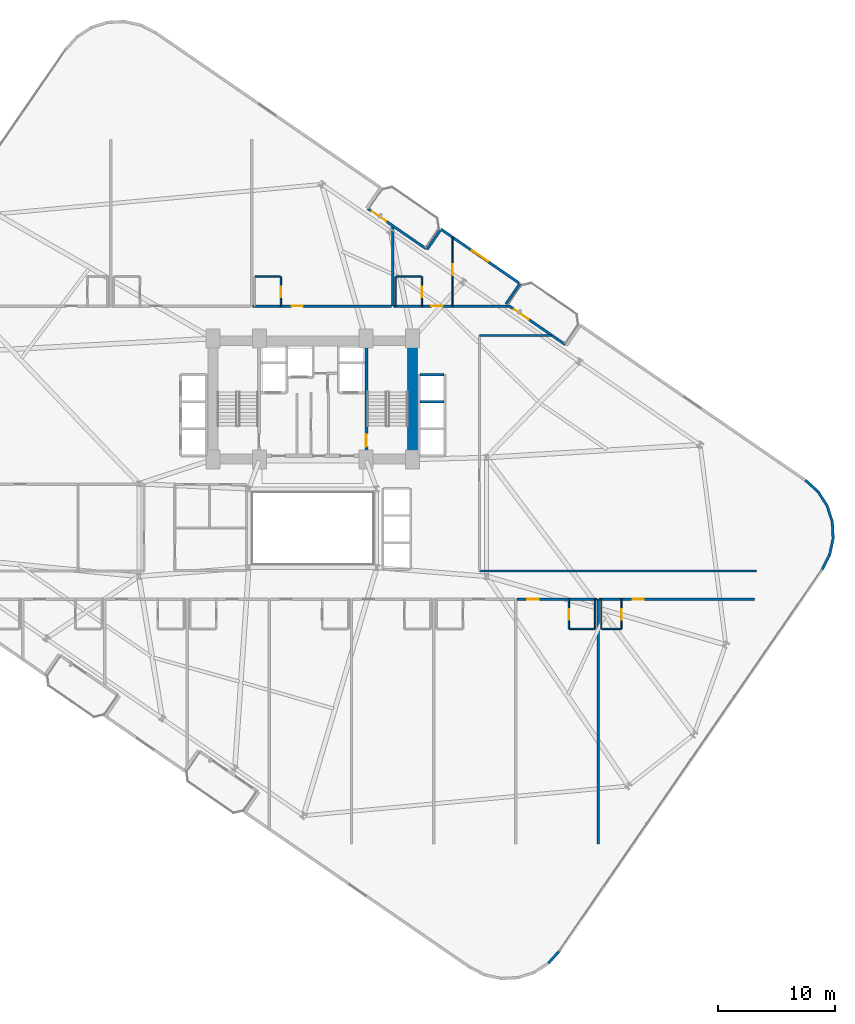
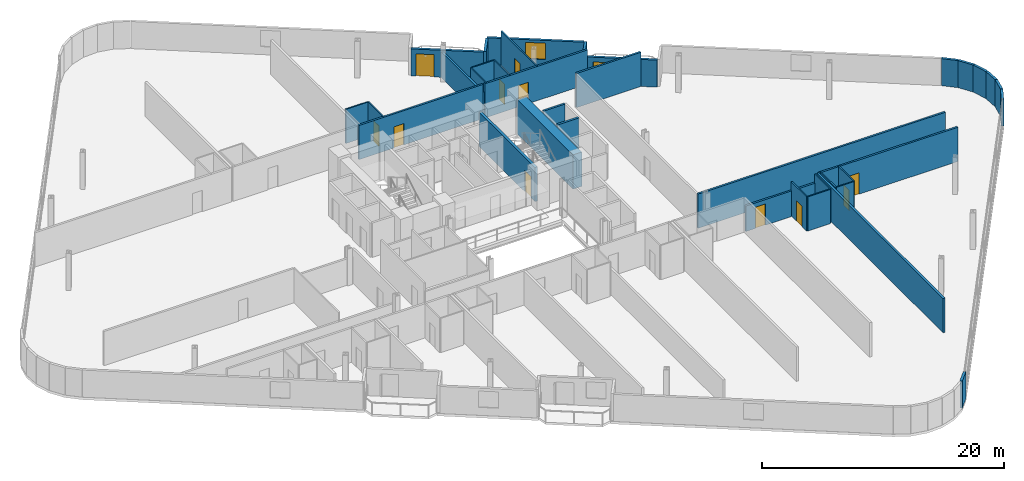
# One storey, part 20 of 25: 36 walls, 12 doors, 1 window, 13 openings.
"""IFC4 building model written with IfcOpenShell, lengths in metres."""

import ifcopenshell
import ifcopenshell.guid

model = None  # the IFC model being written
_history = None  # IfcOwnerHistory: only IFC2X3 demands one
_inside = {}  # id of a spatial element -> (the spatial element, [elements in it])
_under = {}  # id of a project, library or spatial element -> (it, [spatial elements below it])
_declared = {}  # id of a project -> (the project, [libraries it declares])
_typed = {}  # id of a type object -> (the type object, [elements of that type])
_made_of = {}  # id of a material, layer set ... -> (it, [elements and type objects made of it])


def new_model(schema):
    """Start an empty IFC model of exactly this schema.

    Asked for "IFC4X3", IfcOpenShell would pick the latest addendum, in which some entities
    have other attributes; the version numbers below select the first issue.
    IFC2X3 requires an IfcOwnerHistory on every rooted entity: one is made here for all.
    """
    global model, _history
    if schema == "IFC4X3":
        model = ifcopenshell.file(schema_version=(4, 3, 0, 0))
    else:
        model = ifcopenshell.file(schema=schema)
    _inside.clear()
    _under.clear()
    _declared.clear()
    _typed.clear()
    _made_of.clear()
    _history = None
    if model.schema == "IFC2X3":
        org = make("IfcOrganization", Name="unknown")
        user = make(
            "IfcPersonAndOrganization",
            ThePerson=make("IfcPerson", FamilyName="unknown"),
            TheOrganization=org,
        )
        app = make(
            "IfcApplication",
            ApplicationDeveloper=org,
            Version="unknown",
            ApplicationFullName="unknown",
            ApplicationIdentifier="unknown",
        )
        _history = make(
            "IfcOwnerHistory",
            OwningUser=user,
            OwningApplication=app,
            ChangeAction="ADDED",
            CreationDate=0,
        )
    return model


def make(cls, **values):
    """One entity of the class cls with the attributes given. An attribute that is None is left unset."""
    return model.create_entity(
        cls, **{name: value for name, value in values.items() if value is not None}
    )


def rooted(cls, **values):
    """An entity with a GlobalId (a new one), such as an element, a storey or a relation."""
    return make(cls, GlobalId=ifcopenshell.guid.new(), OwnerHistory=_history, **values)


def si_unit(unit_type, name, prefix=None):
    """IfcSIUnit, for example si_unit("LENGTHUNIT", "METRE", prefix="MILLI")."""
    return make("IfcSIUnit", UnitType=unit_type, Prefix=prefix, Name=name)


def assignment(units):
    """IfcUnitAssignment: the units of a project."""
    return None if units is None else make("IfcUnitAssignment", Units=units)


def point(xyz):
    """IfcCartesianPoint."""
    return None if xyz is None else make("IfcCartesianPoint", Coordinates=xyz)


def direction(xyz):
    """IfcDirection."""
    return None if xyz is None else make("IfcDirection", DirectionRatios=xyz)


def frame(location, z_axis=None, x_axis=None):
    """IfcAxis2Placement3D, a coordinate frame: its origin and axes. An axis left out is left unset."""
    return make(
        "IfcAxis2Placement3D",
        Location=point(location),
        Axis=direction(z_axis),
        RefDirection=direction(x_axis),
    )


def frame_2d(location, x_axis=None):
    """IfcAxis2Placement2D, a coordinate frame in the plane: its origin and x axis."""
    return make(
        "IfcAxis2Placement2D", Location=point(location), RefDirection=direction(x_axis)
    )


def origin():
    """The frame at (0, 0, 0) with its axes left unset."""
    return frame((0.0, 0.0, 0.0))


def place(relative_to, where):
    """IfcLocalPlacement: puts the frame where relative to a parent placement (None: the world)."""
    return make(
        "IfcLocalPlacement", PlacementRelTo=relative_to, RelativePlacement=where
    )


def context(
    kind, dimensions, precision=None, world=None, true_north=None, identifier=None
):
    """IfcGeometricRepresentationContext, for example the 3D "Model" context."""
    return make(
        "IfcGeometricRepresentationContext",
        ContextIdentifier=identifier,
        ContextType=kind,
        CoordinateSpaceDimension=dimensions,
        Precision=precision,
        WorldCoordinateSystem=world,
        TrueNorth=true_north,
    )


def subcontext(parent, identifier, kind, view, scale=None):
    """IfcGeometricRepresentationSubContext, for example "Body" below "Model"."""
    return make(
        "IfcGeometricRepresentationSubContext",
        ContextIdentifier=identifier,
        ContextType=kind,
        ParentContext=parent,
        TargetScale=scale,
        TargetView=view,
    )


def project(units=None, contexts=None):
    """IfcProject with its units and contexts."""
    return rooted(
        "IfcProject",
        Name="project",
        RepresentationContexts=contexts,
        UnitsInContext=assignment(units),
    )


def spatial(cls, under=None, at=None, **own):
    """A site, building, storey or space (cls), placed at a placement, below another one or the project."""
    s = rooted(cls, ObjectPlacement=at, **own)
    if under is not None:
        _under.setdefault(under.id(), (under, []))[1].append(s)
    return s


def profile(cls, at=None, kind="AREA", **sizes):
    """A parametric profile (cls). Its sizes go by their IFC names, for example OverallWidth=200.0."""
    return make(cls, ProfileType=kind, Position=at, **sizes)


def rectangle(**sizes):
    """IfcRectangleProfileDef."""
    return profile("IfcRectangleProfileDef", **sizes)


def extrude(swept, where, along, depth):
    """IfcExtrudedAreaSolid: the profile swept, set in the frame where, extruded along a direction by depth."""
    return make(
        "IfcExtrudedAreaSolid",
        SweptArea=swept,
        Position=where,
        ExtrudedDirection=direction(along),
        Depth=depth,
    )


def shape(context_of_items, identifier, shape_type, items):
    """IfcShapeRepresentation: the items that make up one representation, for example the "Body"."""
    return make(
        "IfcShapeRepresentation",
        ContextOfItems=context_of_items,
        RepresentationIdentifier=identifier,
        RepresentationType=shape_type,
        Items=items,
    )


def material(Name=None, Category=None):
    """IfcMaterial."""
    return make("IfcMaterial", Name=Name, Category=Category)


def layer(
    of_material, thickness, ventilated=None, Name=None, Category=None, Priority=None
):
    """IfcMaterialLayer: one layer of a wall or slab, of a material (None: an air gap)."""
    return make(
        "IfcMaterialLayer",
        Material=of_material,
        LayerThickness=thickness,
        IsVentilated=ventilated,
        Name=Name,
        Category=Category,
        Priority=Priority,
    )


def layer_set(layers, Name=None):
    """IfcMaterialLayerSet."""
    return make("IfcMaterialLayerSet", MaterialLayers=layers, LayerSetName=Name)


def made_of(thing, what):
    """Note that an element or type object is made of a material, layer set ...; save() writes the relation."""
    if what is not None:
        _made_of.setdefault(what.id(), (what, []))[1].append(thing)
    return thing


def type_object(cls, material=None, **own):
    """A type object (cls), such as IfcWallType, which elements share."""
    return made_of(rooted(cls, **own), material)


def element(
    cls,
    number,
    at=None,
    inside=None,
    cuts=None,
    type_object=None,
    material=None,
    context=None,
    identifier="Body",
    shape_type=None,
    held_by="IfcProductDefinitionShape",
    body=None,
    shapes=None,
    **own,
):
    """One element of the class cls, such as IfcWall. Its Tag is "e" and its number.

    at: its placement. inside: the storey or other place that contains it. cuts: it is an
    opening in that element (IfcRelVoidsElement). A single representation is given by context,
    identifier, shape_type and body (its items); several are given by shapes. held_by: the class
    of the entity that holds the representations. save() writes the other relations.
    """
    e = rooted(cls, Tag="e%d" % number, ObjectPlacement=at, **own)
    if body is not None:
        shapes = [shape(context, identifier, shape_type, body)]
    if shapes is not None:
        e.Representation = make(held_by, Representations=shapes)
    if inside is not None:
        _inside.setdefault(inside.id(), (inside, []))[1].append(e)
    if cuts is not None:
        rooted(
            "IfcRelVoidsElement", RelatingBuildingElement=cuts, RelatedOpeningElement=e
        )
    if type_object is not None:
        _typed.setdefault(type_object.id(), (type_object, []))[1].append(e)
    return made_of(e, material)


def fill(opening, filler):
    """IfcRelFillsElement: the door or window that sits in an opening."""
    return rooted(
        "IfcRelFillsElement",
        RelatingOpeningElement=opening,
        RelatedBuildingElement=filler,
    )


def aggregate(whole, parts):
    """IfcRelAggregates: a whole, such as a stair, and the parts it consists of."""
    return rooted("IfcRelAggregates", RelatingObject=whole, RelatedObjects=parts)


def save(model, path):
    """Write the relations noted so far, then the file.

    IfcRelAggregates (storeys below a building ...), IfcRelContainedInSpatialStructure (elements
    in a storey), IfcRelDefinesByType, IfcRelAssociatesMaterial and IfcRelDeclares: one each for
    every whole, place, type object, material and project.
    """
    for whole, parts in _under.values():
        aggregate(whole, parts)
    for where, things in _inside.values():
        rooted(
            "IfcRelContainedInSpatialStructure",
            RelatedElements=things,
            RelatingStructure=where,
        )
    for kind, things in _typed.values():
        rooted("IfcRelDefinesByType", RelatedObjects=things, RelatingType=kind)
    for what, things in _made_of.values():
        rooted("IfcRelAssociatesMaterial", RelatedObjects=things, RelatingMaterial=what)
    for by, libraries in _declared.values():
        rooted("IfcRelDeclares", RelatingContext=by, RelatedDefinitions=libraries)
    model.write(path)


model = new_model("IFC4")

# Units and contexts
model_context = context("Model", 3, precision=1e-05, world=origin(), true_north=direction((0.0, 1.0)))
body_context = subcontext(model_context, "Body", "Model", "MODEL_VIEW")
ifc_project = project(units=[si_unit("LENGTHUNIT", "METRE"), si_unit("AREAUNIT", "SQUARE_METRE"), si_unit("VOLUMEUNIT", "CUBIC_METRE"), si_unit("PLANEANGLEUNIT", "RADIAN"), si_unit("MASSUNIT", "GRAM", prefix="KILO")], contexts=[model_context])

# Site, building, storey
site_placement = place(None, origin())
site = spatial("IfcSite", under=ifc_project, at=site_placement, CompositionType="ELEMENT")
building_placement = place(site_placement, origin())
building = spatial("IfcBuilding", under=site, at=building_placement, Name="Varnelok Gate Tower", CompositionType="ELEMENT")
storey_placement = place(building_placement, frame((0.0, 0.0, 49.199951171875)))
storey = spatial("IfcBuildingStorey", under=building, at=storey_placement, Name="L11", CompositionType="ELEMENT", Elevation=49.199951171875)

# Wall, opening, door
ifc_material_1 = material(Name="Concrete C45/55", Category="concrete")
ifc_layer_1 = layer(ifc_material_1, 0.219970703125)
ifc_layer_set_1 = layer_set([ifc_layer_1], Name="Concrete C45/55")
wall_type_1 = type_object("IfcWallType", Name="EW-BALC-220", PredefinedType="SOLIDWALL", material=ifc_layer_set_1)
wall_1_placement = place(storey_placement, frame((43.898193359375, 50.1015625, 0.0), z_axis=(0.0, 0.0, 1.0), x_axis=(0.823534636215, -0.567265989598, 0.0)))
wall_1 = element("IfcWall", 1, at=wall_1_placement, inside=storey, type_object=wall_type_1, Name="L11 North Terrace Envelope Wall 3", PredefinedType="SOLIDWALL", context=body_context, shape_type="SweptSolid", body=[
    extrude(rectangle(XDim=6.0, YDim=0.219970703125, at=frame_2d((3.0, 0.0))), origin(), (0.0, 0.0, 1.0), 2.72998046875),
])
opening_1_placement = place(wall_1_placement, frame((0.39990234375, 0.0, 0.0)))
opening_1 = element("IfcOpeningElement", 2, at=opening_1_placement, cuts=wall_1, Name="Opening BD-1", PredefinedType="OPENING", context=body_context, shape_type="SweptSolid", body=[
    extrude(rectangle(XDim=1.5, YDim=2.25, at=frame_2d((0.75, 1.125))), frame((0.0, 0.119873046875, 0.0), z_axis=(0.0, -1.0, 0.0), x_axis=(1.0, 0.0, 0.0)), (0.0, 0.0, 1.0), 0.239990234375),
])
ifc_material_2 = material(Name="Anodized Aluminum Alloy 6063-T6", Category="aluminium")
door_type_1 = type_object("IfcDoorType", Name="DR-EXT-BALC1500", OperationType="NOTDEFINED", PredefinedType="DOOR", material=ifc_material_2)
door_1_placement = place(opening_1_placement, origin())
door_1 = element("IfcDoor", 3, at=door_1_placement, inside=storey, type_object=door_type_1, Name="L11 North Balcony Glazed Door 3", OperationType="SINGLE_SWING_RIGHT", OverallHeight=2.25, OverallWidth=1.5, PredefinedType="DOOR", context=body_context, shape_type="SweptSolid", body=[
    extrude(rectangle(XDim=1.5, YDim=2.25, at=frame_2d((0.75, 1.125))), frame((0.0, 0.02490234375, 0.0), z_axis=(0.0, -1.0, 0.0), x_axis=(1.0, 0.0, 0.0)), (0.0, 0.0, 1.0), 0.050048828125),
])
fill(opening_1, door_1)

wall_2_placement = place(storey_placement, frame((55.757080078125, 41.932861328125, 0.0), z_axis=(0.0, 0.0, 1.0), x_axis=(0.823534636215, -0.567265989598, 0.0)))
wall_2 = element("IfcWall", 4, at=wall_2_placement, inside=storey, type_object=wall_type_1, Name="L11 North Terrace Envelope Wall 4", PredefinedType="SOLIDWALL", context=body_context, shape_type="SweptSolid", body=[
    extrude(rectangle(XDim=6.0, YDim=0.219970703125, at=frame_2d((3.0, 0.0))), origin(), (0.0, 0.0, 1.0), 2.72998046875),
])
opening_2_placement = place(wall_2_placement, frame((0.696044921875, 0.0, 0.0)))
opening_2 = element("IfcOpeningElement", 5, at=opening_2_placement, cuts=wall_2, Name="Opening BD-1", PredefinedType="OPENING", context=body_context, shape_type="SweptSolid", body=[
    extrude(rectangle(XDim=1.5, YDim=2.25, at=frame_2d((0.75, 1.125))), frame((0.0, 0.119873046875, 0.0), z_axis=(0.0, -1.0, 0.0), x_axis=(1.0, 0.0, 0.0)), (0.0, 0.0, 1.0), 0.239990234375),
])
door_2_placement = place(opening_2_placement, origin())
door_2 = element("IfcDoor", 6, at=door_2_placement, inside=storey, type_object=door_type_1, Name="L11 North Balcony Glazed Door 4", OperationType="SINGLE_SWING_LEFT", OverallHeight=2.25, OverallWidth=1.5, PredefinedType="DOOR", context=body_context, shape_type="SweptSolid", body=[
    extrude(rectangle(XDim=1.5, YDim=2.25, at=frame_2d((0.75, 1.125))), frame((0.0, 0.02490234375, 0.0), z_axis=(0.0, -1.0, 0.0), x_axis=(1.0, 0.0, 0.0)), (0.0, 0.0, 1.0), 0.050048828125),
])
fill(opening_2, door_2)

# Walls
wall_3_placement = place(storey_placement, frame((59.26611328125, -14.13525390625, 0.0), z_axis=(0.0, 0.0, 1.0), x_axis=(0.669866433955, 0.742481623113, 0.0)))
element("IfcWall", 7, at=wall_3_placement, inside=storey, type_object=wall_type_1, Name="L11 Perimeter Facade Closure Wall 19", PredefinedType="SOLIDWALL", context=body_context, shape_type="SweptSolid", body=[
    extrude(rectangle(XDim=1.4052734375, YDim=0.219970703125, at=frame_2d((0.70263671875, 0.0))), origin(), (0.0, 0.0, 1.0), 2.72998046875),
])
wall_4_placement = place(storey_placement, frame((82.55810546875, 19.355224609375, 0.0), z_axis=(0.0, 0.0, 1.0), x_axis=(0.454777156549, 0.890605264908, 0.0)))
element("IfcWall", 8, at=wall_4_placement, inside=storey, type_object=wall_type_1, Name="L11 Perimeter Facade Closure Wall 20", PredefinedType="SOLIDWALL", context=body_context, shape_type="SweptSolid", body=[
    extrude(rectangle(XDim=1.43017578125, YDim=0.219970703125, at=frame_2d((0.715087890625, 0.0))), origin(), (0.0, 0.0, 1.0), 2.72998046875),
])
wall_5_placement = place(storey_placement, frame((83.2138671875, 20.653564453125, 0.0), z_axis=(0.0, 0.0, 1.0), x_axis=(0.208829011645, 0.977952168511, 0.0)))
element("IfcWall", 9, at=wall_5_placement, inside=storey, type_object=wall_type_1, Name="L11 Perimeter Facade Closure Wall 21", PredefinedType="SOLIDWALL", context=body_context, shape_type="SweptSolid", body=[
    extrude(rectangle(XDim=1.4052734375, YDim=0.219970703125, at=frame_2d((0.70263671875, 0.0))), origin(), (0.0, 0.0, 1.0), 2.72998046875),
])
wall_6_placement = place(storey_placement, frame((83.506103515625, 22.052734375, 0.0), z_axis=(0.0, 0.0, 1.0), x_axis=(-0.051245849735, 0.998686068234, 0.0)))
element("IfcWall", 10, at=wall_6_placement, inside=storey, type_object=wall_type_1, Name="L11 Perimeter Facade Closure Wall 22", PredefinedType="SOLIDWALL", context=body_context, shape_type="SweptSolid", body=[
    extrude(rectangle(XDim=1.405517578125, YDim=0.219970703125, at=frame_2d((0.70263671875, 0.0))), origin(), (0.0, 0.0, 1.0), 2.72998046875),
])
for number, where, z_axis, x_axis, name in (
    (11, (83.426513671875, 23.47998046875, 0.0), (0.0, 0.0, 1.0), (-0.308033059501, 0.951375653596, 0.0), "L11 Perimeter Facade Closure Wall 23"),
    (12, (82.97998046875, 24.837890625, 0.0), (0.0, 0.0, 1.0), (-0.543748195851, 0.839248413468, 0.0), "L11 Perimeter Facade Closure Wall 24"),
):
    element("IfcWall", number, at=place(storey_placement, frame(where, z_axis=z_axis, x_axis=x_axis)), inside=storey, type_object=wall_type_1, Name=name, PredefinedType="SOLIDWALL", context=body_context, shape_type="SweptSolid", body=[
        extrude(rectangle(XDim=1.4052734375, YDim=0.219970703125, at=frame_2d((0.70263671875, 0.0))), origin(), (0.0, 0.0, 1.0), 2.72998046875),
    ])
wall_7_placement = place(storey_placement, frame((82.197265625, 26.033935546875, 0.0), z_axis=(0.0, 0.0, 1.0), x_axis=(-0.742374254638, 0.669985422268, 0.0)))
element("IfcWall", 13, at=wall_7_placement, inside=storey, type_object=wall_type_1, Name="L11 Perimeter Facade Closure Wall 25", PredefinedType="SOLIDWALL", context=body_context, shape_type="SweptSolid", body=[
    extrude(rectangle(XDim=1.4130859375, YDim=0.219970703125, at=frame_2d((0.70654296875, 0.0))), origin(), (0.0, 0.0, 1.0), 2.72998046875),
])
wall_8_placement = place(storey_placement, frame((55.652587890625, 41.99267578125, 0.0), z_axis=(0.0, 0.0, 1.0), x_axis=(0.567273696173, 0.823529327729, 0.0)))
element("IfcWall", 14, at=wall_8_placement, inside=storey, type_object=wall_type_1, Name="L11 Perimeter Facade Closure Wall 28", PredefinedType="SOLIDWALL", context=body_context, shape_type="SweptSolid", body=[
    extrude(rectangle(XDim=2.099853515625, YDim=0.219970703125, at=frame_2d((1.0498046875, 0.0))), origin(), (0.0, 0.0, 1.0), 2.72998046875),
])

# Wall, opening, window
wall_9_placement = place(storey_placement, frame((56.740966796875, 43.79296875, 0.0), z_axis=(0.0, 0.0, 1.0), x_axis=(-0.823530942962, 0.56727135128, 0.0)))
wall_9 = element("IfcWall", 15, at=wall_9_placement, inside=storey, type_object=wall_type_1, Name="L11 Perimeter Facade Closure Wall 29", PredefinedType="SOLIDWALL", context=body_context, shape_type="SweptSolid", body=[
    extrude(rectangle(XDim=8.03515625, YDim=0.219970703125, at=frame_2d((4.017578125, 0.0))), origin(), (0.0, 0.0, 1.0), 2.72998046875),
])
opening_3_placement = place(wall_9_placement, frame((3.1923828125, 0.0, 0.800048828125)))
opening_3 = element("IfcOpeningElement", 16, at=opening_3_placement, cuts=wall_9, Name="Opening WN3", PredefinedType="OPENING", context=body_context, shape_type="SweptSolid", body=[
    extrude(rectangle(XDim=1.64990234375, YDim=1.64990234375, at=frame_2d((0.824951171875, 0.824951171875))), frame((0.0, 0.119873046875, 0.0), z_axis=(0.0, -1.0, 0.0), x_axis=(1.0, 0.0, 0.0)), (0.0, 0.0, 1.0), 0.239990234375),
])
ifc_material_3 = material(Name="Low-E Laminated Double Glazing IGU", Category="glass")
window_type = type_object("IfcWindowType", Name="WN-HTL-1650", PartitioningType="SINGLE_PANEL", PredefinedType="WINDOW", material=ifc_material_3)
window_placement = place(opening_3_placement, origin())
window = element("IfcWindow", 17, at=window_placement, inside=storey, type_object=window_type, Name="L11 Perimeter Vision Window 29", OverallHeight=1.64990234375, OverallWidth=1.64990234375, PartitioningType="SINGLE_PANEL", PredefinedType="WINDOW", context=body_context, shape_type="SweptSolid", body=[
    extrude(rectangle(XDim=1.64990234375, YDim=1.64990234375, at=frame_2d((0.824951171875, 0.824951171875))), frame((0.0, 0.030029296875, 0.0), z_axis=(0.0, -1.0, 0.0), x_axis=(1.0, 0.0, 0.0)), (0.0, 0.0, 1.0), 0.06005859375),
])
fill(opening_3, window)

# Wall
wall_10_placement = place(storey_placement, frame((50.052978515625, 48.248046875, 0.0), z_axis=(0.0, 0.0, 1.0), x_axis=(-0.567273565974, -0.823529417415, 0.0)))
element("IfcWall", 18, at=wall_10_placement, inside=storey, type_object=wall_type_1, Name="L11 Perimeter Facade Closure Wall 30", PredefinedType="SOLIDWALL", context=body_context, shape_type="SweptSolid", body=[
    extrude(rectangle(XDim=1.97509765625, YDim=0.219970703125, at=frame_2d((0.987548828125, 0.0))), origin(), (0.0, 0.0, 1.0), 2.72998046875),
])

# Wall, opening, door
ifc_material_4 = material(Name="Gypsum Plasterboard Acoustic Partition", Category="gypsum")
ifc_layer_2 = layer(ifc_material_4, 0.179931640625)
ifc_layer_set_2 = layer_set([ifc_layer_2], Name="Gypsum Plasterboard Acoustic Partition")
wall_type_2 = type_object("IfcWallType", Name="PW-CORR-180", PredefinedType="PARTITIONING", material=ifc_layer_set_2)
wall_11_placement = place(storey_placement, frame((56.580078125, 16.85009765625, 0.0), z_axis=(0.0, 0.0, 1.0), x_axis=(1.0, 0.0, 0.0)))
wall_11 = element("IfcWall", 19, at=wall_11_placement, inside=storey, type_object=wall_type_2, Name="Interior Partition", PredefinedType="PARTITIONING", context=body_context, shape_type="SweptSolid", body=[
    extrude(rectangle(XDim=6.83984375, YDim=0.179931640625, at=frame_2d((3.419921875, 0.0))), origin(), (0.0, 0.0, 1.0), 2.580078125),
])
opening_4_placement = place(wall_11_placement, frame((0.89990234375, 0.0, 0.0)))
opening_4 = element("IfcOpeningElement", 20, at=opening_4_placement, cuts=wall_11, Name="Opening D-HT", PredefinedType="OPENING", context=body_context, shape_type="SweptSolid", body=[
    extrude(rectangle(XDim=0.949951171875, YDim=2.14990234375, at=frame_2d((0.47509765625, 1.074951171875))), frame((0.0, 0.099853515625, 0.0), z_axis=(0.0, -1.0, 0.0), x_axis=(1.0, 0.0, 0.0)), (0.0, 0.0, 1.0), 0.199951171875),
])
ifc_material_5 = material(Name="Engineered Hardwood Timber", Category="wood")
door_type_2 = type_object("IfcDoorType", Name="DR-HTL-950", OperationType="NOTDEFINED", PredefinedType="DOOR", material=ifc_material_5)
door_3_placement = place(opening_4_placement, origin())
door_3 = element("IfcDoor", 21, at=door_3_placement, inside=storey, type_object=door_type_2, Name="L11 Guest Room 08 Entrance Door", OperationType="SINGLE_SWING_LEFT", OverallHeight=2.14990234375, OverallWidth=0.949951171875, PredefinedType="DOOR", context=body_context, shape_type="SweptSolid", body=[
    extrude(rectangle(XDim=0.949951171875, YDim=2.14990234375, at=frame_2d((0.47509765625, 1.074951171875))), frame((0.0, 0.02490234375, 0.0), z_axis=(0.0, -1.0, 0.0), x_axis=(1.0, 0.0, 0.0)), (0.0, 0.0, 1.0), 0.050048828125),
])
fill(opening_4, door_3)

wall_12_placement = place(storey_placement, frame((63.580078125, 16.85009765625, 0.0), z_axis=(0.0, 0.0, 1.0), x_axis=(1.0, 0.0, 0.0)))
wall_12 = element("IfcWall", 22, at=wall_12_placement, inside=storey, type_object=wall_type_2, Name="Interior Partition", PredefinedType="PARTITIONING", context=body_context, shape_type="SweptSolid", body=[
    extrude(rectangle(XDim=13.239990234375, YDim=0.179931640625, at=frame_2d((6.6201171875, 0.0))), origin(), (0.0, 0.0, 1.0), 3.449951171875),
])
opening_5_placement = place(wall_12_placement, frame((2.86083984375, 0.0, 0.0)))
opening_5 = element("IfcOpeningElement", 23, at=opening_5_placement, cuts=wall_12, Name="Opening D-HT", PredefinedType="OPENING", context=body_context, shape_type="SweptSolid", body=[
    extrude(rectangle(XDim=0.949951171875, YDim=2.14990234375, at=frame_2d((0.47509765625, 1.074951171875))), frame((0.0, 0.099853515625, 0.0), z_axis=(0.0, -1.0, 0.0), x_axis=(1.0, 0.0, 0.0)), (0.0, 0.0, 1.0), 0.199951171875),
])
door_4_placement = place(opening_5_placement, origin())
door_4 = element("IfcDoor", 24, at=door_4_placement, inside=storey, type_object=door_type_2, Name="L11 Guest Room 09 Entrance Door", OperationType="SINGLE_SWING_RIGHT", OverallHeight=2.14990234375, OverallWidth=0.949951171875, PredefinedType="DOOR", context=body_context, shape_type="SweptSolid", body=[
    extrude(rectangle(XDim=0.949951171875, YDim=2.14990234375, at=frame_2d((0.47509765625, 1.074951171875))), frame((0.0, 0.02490234375, 0.0), z_axis=(0.0, -1.0, 0.0), x_axis=(1.0, 0.0, 0.0)), (0.0, 0.0, 1.0), 0.050048828125),
])
fill(opening_5, door_4)

wall_13_placement = place(storey_placement, frame((34.080078125, 41.800048828125, 0.0), z_axis=(0.0, 0.0, 1.0), x_axis=(1.0, 0.0, 0.0)))
wall_13 = element("IfcWall", 25, at=wall_13_placement, inside=storey, type_object=wall_type_2, Name="Interior Partition", PredefinedType="PARTITIONING", context=body_context, shape_type="SweptSolid", body=[
    extrude(rectangle(XDim=11.83984375, YDim=0.179931640625, at=frame_2d((5.919921875, 0.0))), origin(), (0.0, 0.0, 1.0), 3.449951171875),
])
opening_6_placement = place(wall_13_placement, frame((3.326416015625, 0.0, 0.0)))
opening_6 = element("IfcOpeningElement", 26, at=opening_6_placement, cuts=wall_13, Name="Opening D-HT", PredefinedType="OPENING", context=body_context, shape_type="SweptSolid", body=[
    extrude(rectangle(XDim=0.949951171875, YDim=2.14990234375, at=frame_2d((0.47509765625, 1.074951171875))), frame((0.0, 0.099853515625, 0.0), z_axis=(0.0, -1.0, 0.0), x_axis=(1.0, 0.0, 0.0)), (0.0, 0.0, 1.0), 0.199951171875),
])
door_5_placement = place(opening_6_placement, origin())
door_5 = element("IfcDoor", 27, at=door_5_placement, inside=storey, type_object=door_type_2, Name="L11 Guest Room 12 Entrance Door", OperationType="SINGLE_SWING_LEFT", OverallHeight=2.14990234375, OverallWidth=0.949951171875, PredefinedType="DOOR", context=body_context, shape_type="SweptSolid", body=[
    extrude(rectangle(XDim=0.949951171875, YDim=2.14990234375, at=frame_2d((0.47509765625, 1.074951171875))), frame((0.0, 0.02490234375, 0.0), z_axis=(0.0, -1.0, 0.0), x_axis=(1.0, 0.0, 0.0)), (0.0, 0.0, 1.0), 0.050048828125),
])
fill(opening_6, door_5)

wall_14_placement = place(storey_placement, frame((46.080078125, 41.800048828125, 0.0), z_axis=(0.0, 0.0, 1.0), x_axis=(1.0, 0.0, 0.0)))
wall_14 = element("IfcWall", 28, at=wall_14_placement, inside=storey, type_object=wall_type_2, Name="Interior Partition", PredefinedType="PARTITIONING", context=body_context, shape_type="SweptSolid", body=[
    extrude(rectangle(XDim=9.81689453125, YDim=0.179931640625, at=frame_2d((4.908447265625, 0.0))), origin(), (0.0, 0.0, 1.0), 3.449951171875),
])
opening_7_placement = place(wall_14_placement, frame((3.22998046875, 0.0, 0.0)))
opening_7 = element("IfcOpeningElement", 29, at=opening_7_placement, cuts=wall_14, Name="Opening D-HT", PredefinedType="OPENING", context=body_context, shape_type="SweptSolid", body=[
    extrude(rectangle(XDim=0.949951171875, YDim=2.14990234375, at=frame_2d((0.47509765625, 1.074951171875))), frame((0.0, 0.099853515625, 0.0), z_axis=(0.0, -1.0, 0.0), x_axis=(1.0, 0.0, 0.0)), (0.0, 0.0, 1.0), 0.199951171875),
])
door_6_placement = place(opening_7_placement, origin())
door_6 = element("IfcDoor", 30, at=door_6_placement, inside=storey, type_object=door_type_2, Name="L11 Guest Room 13 Entrance Door", OperationType="SINGLE_SWING_RIGHT", OverallHeight=2.14990234375, OverallWidth=0.949951171875, PredefinedType="DOOR", context=body_context, shape_type="SweptSolid", body=[
    extrude(rectangle(XDim=0.949951171875, YDim=2.14990234375, at=frame_2d((0.47509765625, 1.074951171875))), frame((0.0, 0.02490234375, 0.0), z_axis=(0.0, -1.0, 0.0), x_axis=(1.0, 0.0, 0.0)), (0.0, 0.0, 1.0), 0.050048828125),
])
fill(opening_7, door_6)

# Walls
wall_15_placement = place(storey_placement, frame((53.389892578125, 19.239990234375, 0.0), z_axis=(0.0, 0.0, 1.0), x_axis=(1.0, 0.0, 0.0)))
element("IfcWall", 31, at=wall_15_placement, inside=storey, type_object=wall_type_2, Name="Interior Partition", PredefinedType="PARTITIONING", context=body_context, shape_type="SweptSolid", body=[
    extrude(rectangle(XDim=23.610107421875, YDim=0.179931640625, at=frame_2d((11.80517578125, 0.0))), origin(), (0.0, 0.0, 1.0), 3.449951171875),
])
wall_16_placement = place(storey_placement, frame((53.389892578125, 39.300048828125, 0.0), z_axis=(0.0, 0.0, 1.0), x_axis=(1.0, 0.0, 0.0)))
element("IfcWall", 32, at=wall_16_placement, inside=storey, type_object=wall_type_2, Name="Interior Partition", PredefinedType="PARTITIONING", context=body_context, shape_type="SweptSolid", body=[
    extrude(rectangle(XDim=6.136474609375, YDim=0.179931640625, at=frame_2d((3.068359375, 0.0))), origin(), (0.0, 0.0, 1.0), 3.449951171875),
])
ifc_layer_3 = layer(ifc_material_4, 0.114990234375)
ifc_layer_set_3 = layer_set([ifc_layer_3], Name="Gypsum Plasterboard Acoustic Partition")
wall_type_3 = type_object("IfcWallType", Name="PW-ENS-125", PredefinedType="PARTITIONING", material=ifc_layer_set_3)
wall_17_placement = place(storey_placement, frame((61.050048828125, 14.330078125, 0.0), z_axis=(0.0, 0.0, 1.0), x_axis=(1.0, 0.0, 0.0)))
element("IfcWall", 33, at=wall_17_placement, inside=storey, type_object=wall_type_3, Name="Interior Partition", PredefinedType="PARTITIONING", context=body_context, shape_type="SweptSolid", body=[
    extrude(rectangle(XDim=2.14990234375, YDim=0.114990234375, at=frame_2d((1.074951171875, 0.0))), origin(), (0.0, 0.0, 1.0), 3.449951171875),
])

# Wall, opening, door
wall_18_placement = place(storey_placement, frame((61.010009765625, 14.330078125, 0.0), z_axis=(0.0, 0.0, 1.0), x_axis=(0.0, 1.0, 0.0)))
wall_18 = element("IfcWall", 34, at=wall_18_placement, inside=storey, type_object=wall_type_3, Name="Interior Partition", PredefinedType="PARTITIONING", context=body_context, shape_type="SweptSolid", body=[
    extrude(rectangle(XDim=2.52001953125, YDim=0.114990234375, at=frame_2d((1.260009765625, 0.0))), origin(), (0.0, 0.0, 1.0), 3.449951171875),
])
opening_8_placement = place(wall_18_placement, frame((0.760009765625, 0.0, 0.0)))
opening_8 = element("IfcOpeningElement", 35, at=opening_8_placement, cuts=wall_18, Name="Opening D-WC", PredefinedType="OPENING", context=body_context, shape_type="SweptSolid", body=[
    extrude(rectangle(XDim=0.89990234375, YDim=2.050048828125, at=frame_2d((0.449951171875, 1.02490234375))), frame((0.0, 0.0673828125, 0.0), z_axis=(0.0, -1.0, 0.0), x_axis=(1.0, 0.0, 0.0)), (0.0, 0.0, 1.0), 0.135009765625),
])
door_type_3 = type_object("IfcDoorType", Name="DR-BATH-900", OperationType="NOTDEFINED", PredefinedType="DOOR", material=ifc_material_5)
door_7_placement = place(opening_8_placement, origin())
door_7 = element("IfcDoor", 36, at=door_7_placement, inside=storey, type_object=door_type_3, Name="L11 Guest En-Suite 08 Door", OperationType="SINGLE_SWING_RIGHT", OverallHeight=2.050048828125, OverallWidth=0.89990234375, PredefinedType="DOOR", context=body_context, shape_type="SweptSolid", body=[
    extrude(rectangle(XDim=0.89990234375, YDim=2.050048828125, at=frame_2d((0.449951171875, 1.02490234375))), frame((0.0, 0.02490234375, 0.0), z_axis=(0.0, -1.0, 0.0), x_axis=(1.0, 0.0, 0.0)), (0.0, 0.0, 1.0), 0.050048828125),
])
fill(opening_8, door_7)

# Walls
wall_19_placement = place(storey_placement, frame((63.239990234375, 14.330078125, 0.0), z_axis=(0.0, 0.0, 1.0), x_axis=(0.0, 1.0, 0.0)))
element("IfcWall", 37, at=wall_19_placement, inside=storey, type_object=wall_type_3, Name="Interior Partition", PredefinedType="PARTITIONING", context=body_context, shape_type="SweptSolid", body=[
    extrude(rectangle(XDim=2.52001953125, YDim=0.114990234375, at=frame_2d((1.260009765625, 0.0))), origin(), (0.0, 0.0, 1.0), 3.449951171875),
])
wall_20_placement = place(storey_placement, frame((63.800048828125, 14.330078125, 0.0), z_axis=(0.0, 0.0, 1.0), x_axis=(1.0, 0.0, 0.0)))
element("IfcWall", 38, at=wall_20_placement, inside=storey, type_object=wall_type_3, Name="Interior Partition", PredefinedType="PARTITIONING", context=body_context, shape_type="SweptSolid", body=[
    extrude(rectangle(XDim=1.64990234375, YDim=0.114990234375, at=frame_2d((0.824951171875, 0.0))), origin(), (0.0, 0.0, 1.0), 3.449951171875),
])

# Wall, opening, door
wall_21_placement = place(storey_placement, frame((65.489990234375, 14.330078125, 0.0), z_axis=(0.0, 0.0, 1.0), x_axis=(0.0, 1.0, 0.0)))
wall_21 = element("IfcWall", 39, at=wall_21_placement, inside=storey, type_object=wall_type_3, Name="Interior Partition", PredefinedType="PARTITIONING", context=body_context, shape_type="SweptSolid", body=[
    extrude(rectangle(XDim=2.52001953125, YDim=0.114990234375, at=frame_2d((1.260009765625, 0.0))), origin(), (0.0, 0.0, 1.0), 3.449951171875),
])
opening_9_placement = place(wall_21_placement, frame((0.760009765625, 0.0, 0.0)))
opening_9 = element("IfcOpeningElement", 40, at=opening_9_placement, cuts=wall_21, Name="Opening D-WC", PredefinedType="OPENING", context=body_context, shape_type="SweptSolid", body=[
    extrude(rectangle(XDim=0.89990234375, YDim=2.050048828125, at=frame_2d((0.449951171875, 1.02490234375))), frame((0.0, 0.0673828125, 0.0), z_axis=(0.0, -1.0, 0.0), x_axis=(1.0, 0.0, 0.0)), (0.0, 0.0, 1.0), 0.135009765625),
])
door_8_placement = place(opening_9_placement, origin())
door_8 = element("IfcDoor", 41, at=door_8_placement, inside=storey, type_object=door_type_3, Name="L11 Guest En-Suite 09 Door", OperationType="SINGLE_SWING_LEFT", OverallHeight=2.050048828125, OverallWidth=0.89990234375, PredefinedType="DOOR", context=body_context, shape_type="SweptSolid", body=[
    extrude(rectangle(XDim=0.89990234375, YDim=2.050048828125, at=frame_2d((0.449951171875, 1.02490234375))), frame((0.0, 0.02490234375, 0.0), z_axis=(0.0, -1.0, 0.0), x_axis=(1.0, 0.0, 0.0)), (0.0, 0.0, 1.0), 0.050048828125),
])
fill(opening_9, door_8)

# Walls
wall_22_placement = place(storey_placement, frame((63.760009765625, 14.330078125, 0.0), z_axis=(0.0, 0.0, 1.0), x_axis=(0.0, 1.0, 0.0)))
element("IfcWall", 42, at=wall_22_placement, inside=storey, type_object=wall_type_3, Name="Interior Partition", PredefinedType="PARTITIONING", context=body_context, shape_type="SweptSolid", body=[
    extrude(rectangle(XDim=2.52001953125, YDim=0.114990234375, at=frame_2d((1.260009765625, 0.0))), origin(), (0.0, 0.0, 1.0), 3.449951171875),
])
wall_23_placement = place(storey_placement, frame((34.300048828125, 44.320068359375, 0.0), z_axis=(0.0, 0.0, 1.0), x_axis=(1.0, 0.0, 0.0)))
element("IfcWall", 43, at=wall_23_placement, inside=storey, type_object=wall_type_3, Name="Interior Partition", PredefinedType="PARTITIONING", context=body_context, shape_type="SweptSolid", body=[
    extrude(rectangle(XDim=2.14990234375, YDim=0.114990234375, at=frame_2d((1.074951171875, 0.0))), origin(), (0.0, 0.0, 1.0), 3.449951171875),
])

# Wall, opening, door
wall_24_placement = place(storey_placement, frame((36.489990234375, 41.800048828125, 0.0), z_axis=(0.0, 0.0, 1.0), x_axis=(0.0, 1.0, 0.0)))
wall_24 = element("IfcWall", 44, at=wall_24_placement, inside=storey, type_object=wall_type_3, Name="Interior Partition", PredefinedType="PARTITIONING", context=body_context, shape_type="SweptSolid", body=[
    extrude(rectangle(XDim=2.52001953125, YDim=0.114990234375, at=frame_2d((1.260009765625, 0.0))), origin(), (0.0, 0.0, 1.0), 3.449951171875),
])
opening_10_placement = place(wall_24_placement, frame((0.760009765625, 0.0, 0.0)))
opening_10 = element("IfcOpeningElement", 45, at=opening_10_placement, cuts=wall_24, Name="Opening D-WC", PredefinedType="OPENING", context=body_context, shape_type="SweptSolid", body=[
    extrude(rectangle(XDim=0.89990234375, YDim=2.050048828125, at=frame_2d((0.449951171875, 1.02490234375))), frame((0.0, 0.0673828125, 0.0), z_axis=(0.0, -1.0, 0.0), x_axis=(1.0, 0.0, 0.0)), (0.0, 0.0, 1.0), 0.135009765625),
])
door_9_placement = place(opening_10_placement, origin())
door_9 = element("IfcDoor", 46, at=door_9_placement, inside=storey, type_object=door_type_3, Name="L11 North En-Suite 12 Door", OperationType="SINGLE_SWING_RIGHT", OverallHeight=2.050048828125, OverallWidth=0.89990234375, PredefinedType="DOOR", context=body_context, shape_type="SweptSolid", body=[
    extrude(rectangle(XDim=0.89990234375, YDim=2.050048828125, at=frame_2d((0.449951171875, 1.02490234375))), frame((0.0, 0.02490234375, 0.0), z_axis=(0.0, -1.0, 0.0), x_axis=(1.0, 0.0, 0.0)), (0.0, 0.0, 1.0), 0.050048828125),
])
fill(opening_10, door_9)

# Wall
wall_25_placement = place(storey_placement, frame((46.300048828125, 44.320068359375, 0.0), z_axis=(0.0, 0.0, 1.0), x_axis=(1.0, 0.0, 0.0)))
element("IfcWall", 47, at=wall_25_placement, inside=storey, type_object=wall_type_3, Name="Interior Partition", PredefinedType="PARTITIONING", context=body_context, shape_type="SweptSolid", body=[
    extrude(rectangle(XDim=2.14990234375, YDim=0.114990234375, at=frame_2d((1.074951171875, 0.0))), origin(), (0.0, 0.0, 1.0), 3.449951171875),
])

# Wall, opening, door
wall_26_placement = place(storey_placement, frame((48.489990234375, 41.800048828125, 0.0), z_axis=(0.0, 0.0, 1.0), x_axis=(0.0, 1.0, 0.0)))
wall_26 = element("IfcWall", 48, at=wall_26_placement, inside=storey, type_object=wall_type_3, Name="Interior Partition", PredefinedType="PARTITIONING", context=body_context, shape_type="SweptSolid", body=[
    extrude(rectangle(XDim=2.52001953125, YDim=0.114990234375, at=frame_2d((1.260009765625, 0.0))), origin(), (0.0, 0.0, 1.0), 3.449951171875),
])
opening_11_placement = place(wall_26_placement, frame((0.760009765625, 0.0, 0.0)))
opening_11 = element("IfcOpeningElement", 49, at=opening_11_placement, cuts=wall_26, Name="Opening D-WC", PredefinedType="OPENING", context=body_context, shape_type="SweptSolid", body=[
    extrude(rectangle(XDim=0.89990234375, YDim=2.050048828125, at=frame_2d((0.449951171875, 1.02490234375))), frame((0.0, 0.0673828125, 0.0), z_axis=(0.0, -1.0, 0.0), x_axis=(1.0, 0.0, 0.0)), (0.0, 0.0, 1.0), 0.135009765625),
])
door_10_placement = place(opening_11_placement, origin())
door_10 = element("IfcDoor", 50, at=door_10_placement, inside=storey, type_object=door_type_3, Name="L11 North En-Suite 13 Door", OperationType="SINGLE_SWING_RIGHT", OverallHeight=2.050048828125, OverallWidth=0.89990234375, PredefinedType="DOOR", context=body_context, shape_type="SweptSolid", body=[
    extrude(rectangle(XDim=0.89990234375, YDim=2.050048828125, at=frame_2d((0.449951171875, 1.02490234375))), frame((0.0, 0.02490234375, 0.0), z_axis=(0.0, -1.0, 0.0), x_axis=(1.0, 0.0, 0.0)), (0.0, 0.0, 1.0), 0.050048828125),
])
fill(opening_11, door_10)

# Wall
wall_27_placement = place(storey_placement, frame((46.260009765625, 41.800048828125, 0.0), z_axis=(0.0, 0.0, 1.0), x_axis=(0.0, 1.0, 0.0)))
element("IfcWall", 51, at=wall_27_placement, inside=storey, type_object=wall_type_3, Name="Interior Partition", PredefinedType="PARTITIONING", context=body_context, shape_type="SweptSolid", body=[
    extrude(rectangle(XDim=2.52001953125, YDim=0.114990234375, at=frame_2d((1.260009765625, 0.0))), origin(), (0.0, 0.0, 1.0), 3.449951171875),
])

# Wall, opening, door
ifc_layer_4 = layer(ifc_material_4, 0.125)
ifc_layer_set_4 = layer_set([ifc_layer_4], Name="Gypsum Plasterboard Acoustic Partition")
wall_type_4 = type_object("IfcWallType", Name="PW-PART-125", PredefinedType="PARTITIONING", material=ifc_layer_set_4)
wall_28_placement = place(storey_placement, frame((51.10009765625, 41.800048828125, 0.0), z_axis=(0.0, 0.0, 1.0), x_axis=(0.0, 1.0, 0.0)))
wall_28 = element("IfcWall", 52, at=wall_28_placement, inside=storey, type_object=wall_type_4, Name="Interior Partition", PredefinedType="PARTITIONING", context=body_context, shape_type="SweptSolid", body=[
    extrude(rectangle(XDim=5.854248046875, YDim=0.125, at=frame_2d((2.92724609375, 0.0))), origin(), (0.0, 0.0, 1.0), 3.449951171875),
])
opening_12_placement = place(wall_28_placement, frame((2.64306640625, 0.0, 0.0)))
opening_12 = element("IfcOpeningElement", 53, at=opening_12_placement, cuts=wall_28, Name="Opening D-I3", PredefinedType="OPENING", context=body_context, shape_type="SweptSolid", body=[
    extrude(rectangle(XDim=0.919921875, YDim=2.050048828125, at=frame_2d((0.4599609375, 1.02490234375))), frame((0.0, 0.072509765625, 0.0), z_axis=(0.0, -1.0, 0.0), x_axis=(1.0, 0.0, 0.0)), (0.0, 0.0, 1.0), 0.14501953125),
])
door_type_4 = type_object("IfcDoorType", Name="DR-INT-920", OperationType="NOTDEFINED", PredefinedType="DOOR", material=ifc_material_5)
door_11_placement = place(opening_12_placement, origin())
door_11 = element("IfcDoor", 54, at=door_11_placement, inside=storey, type_object=door_type_4, Name="L11 Suite Bedroom Door 13", OperationType="SINGLE_SWING_LEFT", OverallHeight=2.050048828125, OverallWidth=0.919921875, PredefinedType="DOOR", context=body_context, shape_type="SweptSolid", body=[
    extrude(rectangle(XDim=0.919921875, YDim=2.050048828125, at=frame_2d((0.4599609375, 1.02490234375))), frame((0.0, 0.02490234375, 0.0), z_axis=(0.0, -1.0, 0.0), x_axis=(1.0, 0.0, 0.0)), (0.0, 0.0, 1.0), 0.050048828125),
])
fill(opening_12, door_11)

# Walls
ifc_layer_5 = layer(ifc_material_4, 0.205078125)
ifc_layer_set_5 = layer_set([ifc_layer_5], Name="Gypsum Plasterboard Acoustic Partition")
wall_type_5 = type_object("IfcWallType", Name="PW-PARTY-200", PredefinedType="PARTITIONING", material=ifc_layer_set_5)
wall_29_placement = place(storey_placement, frame((63.5, -4.0, 0.0), z_axis=(0.0, 0.0, 1.0), x_axis=(0.0, 1.0, 0.0)))
element("IfcWall", 55, at=wall_29_placement, inside=storey, type_object=wall_type_5, Name="L11 South Party Wall 8", PredefinedType="PARTITIONING", context=body_context, shape_type="SweptSolid", body=[
    extrude(rectangle(XDim=20.85009765625, YDim=0.205078125, at=frame_2d((10.425048828125, 0.0))), origin(), (0.0, 0.0, 1.0), 3.449951171875),
])
wall_30_placement = place(storey_placement, frame((46.0, 41.800048828125, 0.0), z_axis=(0.0, 0.0, 1.0), x_axis=(0.0, 1.0, 0.0)))
element("IfcWall", 56, at=wall_30_placement, inside=storey, type_object=wall_type_5, Name="L11 North Party Wall 3", PredefinedType="PARTITIONING", context=body_context, shape_type="SweptSolid", body=[
    extrude(rectangle(XDim=6.817138671875, YDim=0.205078125, at=frame_2d((3.40869140625, 0.0))), origin(), (0.0, 0.0, 1.0), 2.580078125),
])
ifc_material_6 = material(Name="Concrete C35/45", Category="concrete")
ifc_layer_6 = layer(ifc_material_6, 0.199951171875)
ifc_layer_set_6 = layer_set([ifc_layer_6], Name="Concrete C35/45")
wall_type_6 = type_object("IfcWallType", Name="PW-SHAFT-200", PredefinedType="PARTITIONING", material=ifc_layer_set_6)
for number, where, z_axis, x_axis, name in (
    (57, (48.320068359375, 33.675048828125, 0.0), (0.0, 0.0, 1.0), (1.0, 0.0, 0.0), "L11 PM2 Divider"),
    (58, (48.320068359375, 35.969970703125, 0.0), (0.0, 0.0, 1.0), (1.0, 0.0, 0.0), "L11 PM Bank North Wall"),
):
    element("IfcWall", number, at=place(storey_placement, frame(where, z_axis=z_axis, x_axis=x_axis)), inside=storey, type_object=wall_type_6, Name=name, PredefinedType="PARTITIONING", context=body_context, shape_type="SweptSolid", body=[
        extrude(rectangle(XDim=2.059814453125, YDim=0.199951171875, at=frame_2d((1.02978515625, 0.0))), origin(), (0.0, 0.0, 1.0), 3.449951171875),
    ])
ifc_material_7 = material(Name="Concrete C70/85", Category="concrete")
ifc_layer_7 = layer(ifc_material_7, 0.85009765625)
ifc_layer_set_7 = layer_set([ifc_layer_7], Name="Concrete C70/85")
wall_type_7 = type_object("IfcWallType", Name="SW-CORE-850", PredefinedType="SHEAR", material=ifc_layer_set_7)
wall_31_placement = place(storey_placement, frame((47.695068359375, 29.199951171875, 0.0), z_axis=(0.0, 0.0, 1.0), x_axis=(0.0, 1.0, 0.0)))
element("IfcWall", 59, at=wall_31_placement, inside=storey, type_object=wall_type_7, Name="L11 Rear Core East Shear Wall", PredefinedType="SHEAR", context=body_context, shape_type="SweptSolid", body=[
    extrude(rectangle(XDim=9.219970703125, YDim=0.85009765625, at=frame_2d((4.60986328125, 0.0))), origin(), (0.0, 0.0, 1.0), 3.449951171875),
])

# Wall, opening, door
ifc_material_8 = material(Name="Concrete C60/75", Category="concrete")
ifc_layer_8 = layer(ifc_material_8, 0.25)
ifc_layer_set_8 = layer_set([ifc_layer_8], Name="Concrete C60/75")
wall_type_8 = type_object("IfcWallType", Name="SW-SHAFT-250", PredefinedType="SHEAR", material=ifc_layer_set_8)
wall_32_placement = place(storey_placement, frame((43.760009765625, 29.199951171875, 0.0), z_axis=(0.0, 0.0, 1.0), x_axis=(0.0, 1.0, 0.0)))
wall_32 = element("IfcWall", 60, at=wall_32_placement, inside=storey, type_object=wall_type_8, Name="L11 Stair ST-2 West Shear Wall", PredefinedType="SHEAR", context=body_context, shape_type="SweptSolid", body=[
    extrude(rectangle(XDim=9.219970703125, YDim=0.25, at=frame_2d((4.60986328125, 0.0))), origin(), (0.0, 0.0, 1.0), 3.449951171875),
])
opening_13_placement = place(wall_32_placement, frame((0.64990234375, 0.0, 0.0)))
opening_13 = element("IfcOpeningElement", 61, at=opening_13_placement, cuts=wall_32, Name="Opening D-ST", PredefinedType="OPENING", context=body_context, shape_type="SweptSolid", body=[
    extrude(rectangle(XDim=1.050048828125, YDim=2.14990234375, at=frame_2d((0.52490234375, 1.074951171875))), frame((0.0, 0.135009765625, 0.0), z_axis=(0.0, -1.0, 0.0), x_axis=(1.0, 0.0, 0.0)), (0.0, 0.0, 1.0), 0.27001953125),
])
ifc_material_9 = material(Name="Galvanized Steel Grade S350GD", Category="steel")
door_type_5 = type_object("IfcDoorType", Name="DR-STAIR-1050", OperationType="NOTDEFINED", PredefinedType="DOOR", material=ifc_material_9)
door_12_placement = place(opening_13_placement, origin())
door_12 = element("IfcDoor", 62, at=door_12_placement, inside=storey, type_object=door_type_5, Name="L11 Exit Stair ST-2 Fire Door", OperationType="SINGLE_SWING_RIGHT", OverallHeight=2.14990234375, OverallWidth=1.050048828125, PredefinedType="DOOR", context=body_context, shape_type="SweptSolid", body=[
    extrude(rectangle(XDim=1.050048828125, YDim=2.14990234375, at=frame_2d((0.52490234375, 1.074951171875))), frame((0.0, 0.02490234375, 0.0), z_axis=(0.0, -1.0, 0.0), x_axis=(1.0, 0.0, 0.0)), (0.0, 0.0, 1.0), 0.050048828125),
])
fill(opening_13, door_12)

save(model, "model.ifc")
